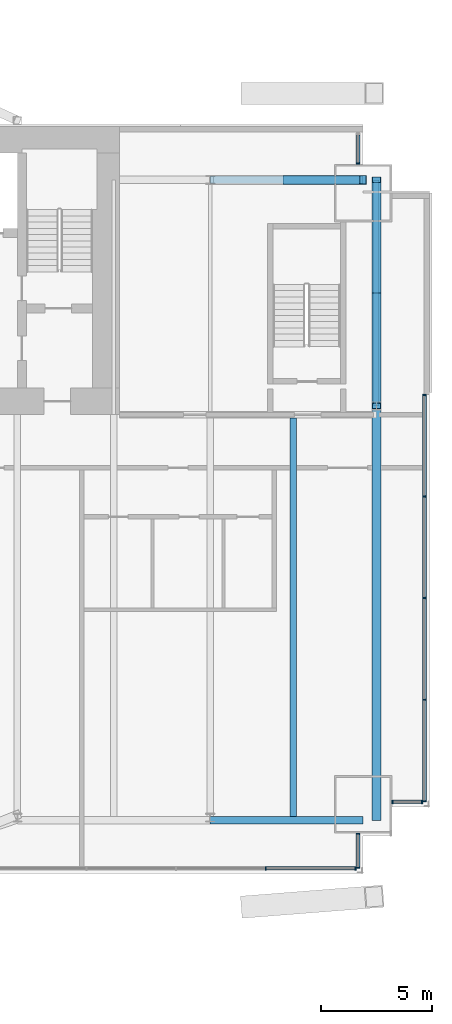
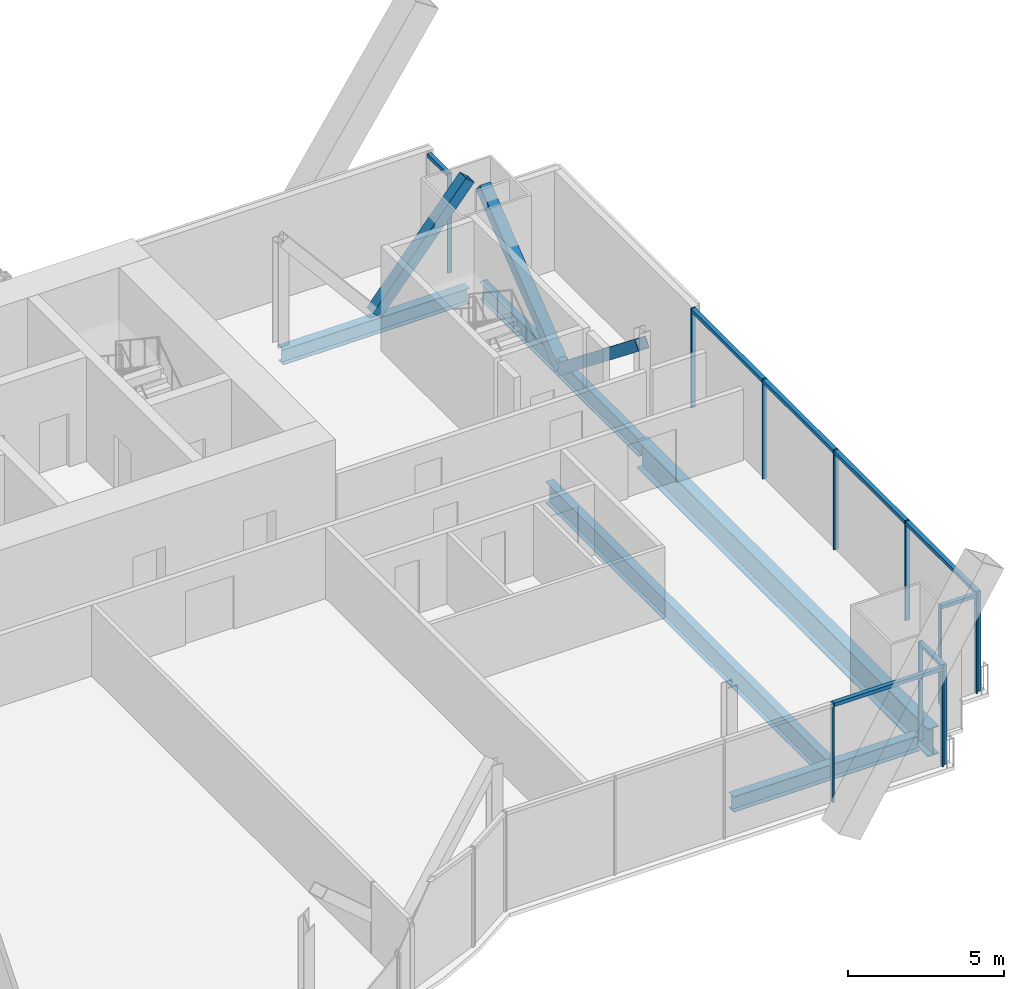
# One storey, part 12 of 21: 23 members, 5 beams, 5 elements without a shape of their own.
"""IFC4 building model written with IfcOpenShell, lengths in metres."""

import ifcopenshell
import ifcopenshell.guid

model = None  # the IFC model being written
_history = None  # IfcOwnerHistory: only IFC2X3 demands one
_inside = {}  # id of a spatial element -> (the spatial element, [elements in it])
_under = {}  # id of a project, library or spatial element -> (it, [spatial elements below it])
_declared = {}  # id of a project -> (the project, [libraries it declares])
_typed = {}  # id of a type object -> (the type object, [elements of that type])
_made_of = {}  # id of a material, layer set ... -> (it, [elements and type objects made of it])


def new_model(schema):
    """Start an empty IFC model of exactly this schema.

    Asked for "IFC4X3", IfcOpenShell would pick the latest addendum, in which some entities
    have other attributes; the version numbers below select the first issue.
    IFC2X3 requires an IfcOwnerHistory on every rooted entity: one is made here for all.
    """
    global model, _history
    if schema == "IFC4X3":
        model = ifcopenshell.file(schema_version=(4, 3, 0, 0))
    else:
        model = ifcopenshell.file(schema=schema)
    _inside.clear()
    _under.clear()
    _declared.clear()
    _typed.clear()
    _made_of.clear()
    _history = None
    if model.schema == "IFC2X3":
        org = make("IfcOrganization", Name="unknown")
        user = make(
            "IfcPersonAndOrganization",
            ThePerson=make("IfcPerson", FamilyName="unknown"),
            TheOrganization=org,
        )
        app = make(
            "IfcApplication",
            ApplicationDeveloper=org,
            Version="unknown",
            ApplicationFullName="unknown",
            ApplicationIdentifier="unknown",
        )
        _history = make(
            "IfcOwnerHistory",
            OwningUser=user,
            OwningApplication=app,
            ChangeAction="ADDED",
            CreationDate=0,
        )
    return model


def make(cls, **values):
    """One entity of the class cls with the attributes given. An attribute that is None is left unset."""
    return model.create_entity(
        cls, **{name: value for name, value in values.items() if value is not None}
    )


def rooted(cls, **values):
    """An entity with a GlobalId (a new one), such as an element, a storey or a relation."""
    return make(cls, GlobalId=ifcopenshell.guid.new(), OwnerHistory=_history, **values)


def si_unit(unit_type, name, prefix=None):
    """IfcSIUnit, for example si_unit("LENGTHUNIT", "METRE", prefix="MILLI")."""
    return make("IfcSIUnit", UnitType=unit_type, Prefix=prefix, Name=name)


def assignment(units):
    """IfcUnitAssignment: the units of a project."""
    return None if units is None else make("IfcUnitAssignment", Units=units)


def point(xyz):
    """IfcCartesianPoint."""
    return None if xyz is None else make("IfcCartesianPoint", Coordinates=xyz)


def direction(xyz):
    """IfcDirection."""
    return None if xyz is None else make("IfcDirection", DirectionRatios=xyz)


def frame(location, z_axis=None, x_axis=None):
    """IfcAxis2Placement3D, a coordinate frame: its origin and axes. An axis left out is left unset."""
    return make(
        "IfcAxis2Placement3D",
        Location=point(location),
        Axis=direction(z_axis),
        RefDirection=direction(x_axis),
    )


def frame_2d(location, x_axis=None):
    """IfcAxis2Placement2D, a coordinate frame in the plane: its origin and x axis."""
    return make(
        "IfcAxis2Placement2D", Location=point(location), RefDirection=direction(x_axis)
    )


def origin():
    """The frame at (0, 0, 0) with its axes left unset."""
    return frame((0.0, 0.0, 0.0))


def origin_2d():
    """The frame at (0, 0) in the plane with its x axis left unset."""
    return frame_2d((0.0, 0.0))


def place(relative_to, where):
    """IfcLocalPlacement: puts the frame where relative to a parent placement (None: the world)."""
    return make(
        "IfcLocalPlacement", PlacementRelTo=relative_to, RelativePlacement=where
    )


def context(
    kind, dimensions, precision=None, world=None, true_north=None, identifier=None
):
    """IfcGeometricRepresentationContext, for example the 3D "Model" context."""
    return make(
        "IfcGeometricRepresentationContext",
        ContextIdentifier=identifier,
        ContextType=kind,
        CoordinateSpaceDimension=dimensions,
        Precision=precision,
        WorldCoordinateSystem=world,
        TrueNorth=true_north,
    )


def subcontext(parent, identifier, kind, view, scale=None):
    """IfcGeometricRepresentationSubContext, for example "Body" below "Model"."""
    return make(
        "IfcGeometricRepresentationSubContext",
        ContextIdentifier=identifier,
        ContextType=kind,
        ParentContext=parent,
        TargetScale=scale,
        TargetView=view,
    )


def project(units=None, contexts=None):
    """IfcProject with its units and contexts."""
    return rooted(
        "IfcProject",
        Name="project",
        RepresentationContexts=contexts,
        UnitsInContext=assignment(units),
    )


def spatial(cls, under=None, at=None, **own):
    """A site, building, storey or space (cls), placed at a placement, below another one or the project."""
    s = rooted(cls, ObjectPlacement=at, **own)
    if under is not None:
        _under.setdefault(under.id(), (under, []))[1].append(s)
    return s


def profile(cls, at=None, kind="AREA", **sizes):
    """A parametric profile (cls). Its sizes go by their IFC names, for example OverallWidth=200.0."""
    return make(cls, ProfileType=kind, Position=at, **sizes)


def rectangle(**sizes):
    """IfcRectangleProfileDef."""
    return profile("IfcRectangleProfileDef", **sizes)


def hollow_rectangle(**sizes):
    """IfcRectangleHollowProfileDef."""
    return profile("IfcRectangleHollowProfileDef", **sizes)


def i_section(**sizes):
    """IfcIShapeProfileDef."""
    return profile("IfcIShapeProfileDef", **sizes)


def extrude(swept, where, along, depth):
    """IfcExtrudedAreaSolid: the profile swept, set in the frame where, extruded along a direction by depth."""
    return make(
        "IfcExtrudedAreaSolid",
        SweptArea=swept,
        Position=where,
        ExtrudedDirection=direction(along),
        Depth=depth,
    )


def shape(context_of_items, identifier, shape_type, items):
    """IfcShapeRepresentation: the items that make up one representation, for example the "Body"."""
    return make(
        "IfcShapeRepresentation",
        ContextOfItems=context_of_items,
        RepresentationIdentifier=identifier,
        RepresentationType=shape_type,
        Items=items,
    )


def material(Name=None, Category=None):
    """IfcMaterial."""
    return make("IfcMaterial", Name=Name, Category=Category)


def material_profile(
    of_material, cross_section, Name=None, Category=None, Priority=None
):
    """IfcMaterialProfile: a cross section and its material."""
    return make(
        "IfcMaterialProfile",
        Name=Name,
        Material=of_material,
        Profile=cross_section,
        Priority=Priority,
        Category=Category,
    )


def profile_set(profiles, Name=None, composite=None):
    """IfcMaterialProfileSet."""
    return make(
        "IfcMaterialProfileSet",
        Name=Name,
        MaterialProfiles=profiles,
        CompositeProfile=composite,
    )


def made_of(thing, what):
    """Note that an element or type object is made of a material, layer set ...; save() writes the relation."""
    if what is not None:
        _made_of.setdefault(what.id(), (what, []))[1].append(thing)
    return thing


def type_object(cls, material=None, **own):
    """A type object (cls), such as IfcWallType, which elements share."""
    return made_of(rooted(cls, **own), material)


def element(
    cls,
    number,
    at=None,
    inside=None,
    cuts=None,
    type_object=None,
    material=None,
    context=None,
    identifier="Body",
    shape_type=None,
    held_by="IfcProductDefinitionShape",
    body=None,
    shapes=None,
    **own,
):
    """One element of the class cls, such as IfcWall. Its Tag is "e" and its number.

    at: its placement. inside: the storey or other place that contains it. cuts: it is an
    opening in that element (IfcRelVoidsElement). A single representation is given by context,
    identifier, shape_type and body (its items); several are given by shapes. held_by: the class
    of the entity that holds the representations. save() writes the other relations.
    """
    e = rooted(cls, Tag="e%d" % number, ObjectPlacement=at, **own)
    if body is not None:
        shapes = [shape(context, identifier, shape_type, body)]
    if shapes is not None:
        e.Representation = make(held_by, Representations=shapes)
    if inside is not None:
        _inside.setdefault(inside.id(), (inside, []))[1].append(e)
    if cuts is not None:
        rooted(
            "IfcRelVoidsElement", RelatingBuildingElement=cuts, RelatedOpeningElement=e
        )
    if type_object is not None:
        _typed.setdefault(type_object.id(), (type_object, []))[1].append(e)
    return made_of(e, material)


def aggregate(whole, parts):
    """IfcRelAggregates: a whole, such as a stair, and the parts it consists of."""
    return rooted("IfcRelAggregates", RelatingObject=whole, RelatedObjects=parts)


def save(model, path):
    """Write the relations noted so far, then the file.

    IfcRelAggregates (storeys below a building ...), IfcRelContainedInSpatialStructure (elements
    in a storey), IfcRelDefinesByType, IfcRelAssociatesMaterial and IfcRelDeclares: one each for
    every whole, place, type object, material and project.
    """
    for whole, parts in _under.values():
        aggregate(whole, parts)
    for where, things in _inside.values():
        rooted(
            "IfcRelContainedInSpatialStructure",
            RelatedElements=things,
            RelatingStructure=where,
        )
    for kind, things in _typed.values():
        rooted("IfcRelDefinesByType", RelatedObjects=things, RelatingType=kind)
    for what, things in _made_of.values():
        rooted("IfcRelAssociatesMaterial", RelatedObjects=things, RelatingMaterial=what)
    for by, libraries in _declared.values():
        rooted("IfcRelDeclares", RelatingContext=by, RelatedDefinitions=libraries)
    model.write(path)


model = new_model("IFC4")

# Units and contexts
model_context = context("Model", 3, precision=1e-05, world=origin(), true_north=direction((0.0, 1.0)))
body_context = subcontext(model_context, "Body", "Model", "MODEL_VIEW")
ifc_project = project(units=[si_unit("LENGTHUNIT", "METRE"), si_unit("AREAUNIT", "SQUARE_METRE"), si_unit("VOLUMEUNIT", "CUBIC_METRE"), si_unit("PLANEANGLEUNIT", "RADIAN"), si_unit("MASSUNIT", "GRAM", prefix="KILO")], contexts=[model_context])

# Site, building, storey
site_placement = place(None, origin())
site = spatial("IfcSite", under=ifc_project, at=site_placement, CompositionType="ELEMENT")
building_placement = place(site_placement, origin())
building = spatial("IfcBuilding", under=site, at=building_placement, Name="Bicima Exchange Tower", CompositionType="ELEMENT")
storey_placement = place(building_placement, frame((0.0, 0.0, 181.39990234375)))
storey = spatial("IfcBuildingStorey", under=building, at=storey_placement, Name="L40", CompositionType="ELEMENT", Elevation=181.39990234375)

# Curtain wall, members
ifc_material_1 = material(Name="Anodised bronze aluminium", Category="aluminium")
curtain_wall_type_1 = type_object("IfcCurtainWallType", Name="End face glass wall", PredefinedType="NOTDEFINED", material=ifc_material_1)
curtain_wall_1_placement = place(storey_placement, origin())
curtain_wall_1 = element("IfcCurtainWall", 1, at=curtain_wall_1_placement, inside=storey, type_object=curtain_wall_type_1, Name="End face glass wall L40 run 19", PredefinedType="NOTDEFINED")
ifc_material_profile_1 = material_profile(ifc_material_1, rectangle(XDim=0.159912109375, YDim=0.06005859375, at=origin_2d()))
ifc_profile_set_1 = profile_set([ifc_material_profile_1], Name="Anodised bronze aluminium")
member_type_1 = type_object("IfcMemberType", Name="End face glass wall mullion 60 x 160", PredefinedType="MULLION", material=ifc_profile_set_1)
member_1_placement = place(storey_placement, frame((35.77001953125, -30.444091796875, 0.0), z_axis=(0.0, 0.0, 1.0), x_axis=(-1.0, 0.0, 0.0)))
member_1 = element("IfcMember", 2, at=member_1_placement, type_object=member_type_1, Name="End face glass wall mullion 1", PredefinedType="MULLION", context=body_context, shape_type="SweptSolid", body=[
    extrude(rectangle(XDim=0.159912109375, YDim=0.06005859375, at=origin_2d()), origin(), (0.0, 0.0, 1.0), 3.900146484375),
])
member_2_placement = place(storey_placement, frame((35.77001953125, -25.860595703125, 0.0), z_axis=(0.0, 0.0, 1.0), x_axis=(-1.0, 0.0, 0.0)))
member_2 = element("IfcMember", 3, at=member_2_placement, type_object=member_type_1, Name="End face glass wall mullion 2", PredefinedType="MULLION", context=body_context, shape_type="SweptSolid", body=[
    extrude(rectangle(XDim=0.159912109375, YDim=0.06005859375, at=origin_2d()), origin(), (0.0, 0.0, 1.0), 3.900146484375),
])
member_3_placement = place(storey_placement, frame((35.77001953125, -21.277099609375, 0.0), z_axis=(0.0, 0.0, 1.0), x_axis=(-1.0, 0.0, 0.0)))
member_3 = element("IfcMember", 4, at=member_3_placement, type_object=member_type_1, Name="End face glass wall mullion 3", PredefinedType="MULLION", context=body_context, shape_type="SweptSolid", body=[
    extrude(rectangle(XDim=0.159912109375, YDim=0.06005859375, at=origin_2d()), origin(), (0.0, 0.0, 1.0), 3.900146484375),
])
member_4_placement = place(storey_placement, frame((35.77001953125, -16.693603515625, 0.0), z_axis=(0.0, 0.0, 1.0), x_axis=(-1.0, 0.0, 0.0)))
member_4 = element("IfcMember", 5, at=member_4_placement, type_object=member_type_1, Name="End face glass wall mullion 4", PredefinedType="MULLION", context=body_context, shape_type="SweptSolid", body=[
    extrude(rectangle(XDim=0.159912109375, YDim=0.06005859375, at=origin_2d()), origin(), (0.0, 0.0, 1.0), 3.900146484375),
])
member_5_placement = place(storey_placement, frame((35.77001953125, -12.110107421875, 0.0), z_axis=(0.0, 0.0, 1.0), x_axis=(-1.0, 0.0, 0.0)))
member_5 = element("IfcMember", 6, at=member_5_placement, type_object=member_type_1, Name="End face glass wall mullion 5", PredefinedType="MULLION", context=body_context, shape_type="SweptSolid", body=[
    extrude(rectangle(XDim=0.159912109375, YDim=0.06005859375, at=origin_2d()), origin(), (0.0, 0.0, 1.0), 3.900146484375),
])
ifc_material_profile_2 = material_profile(ifc_material_1, rectangle(XDim=0.159912109375, YDim=0.139892578125, at=origin_2d()))
ifc_profile_set_2 = profile_set([ifc_material_profile_2], Name="Anodised bronze aluminium")
member_type_2 = type_object("IfcMemberType", Name="End face glass wall transom 140 x 160", PredefinedType="USERDEFINED", material=ifc_profile_set_2)
member_6_placement = place(storey_placement, frame((35.77001953125, -30.4140625, 3.830078125), z_axis=(0.0, 1.0, 0.0), x_axis=(-1.0, 0.0, 0.0)))
member_6 = element("IfcMember", 7, at=member_6_placement, type_object=member_type_2, Name="End face glass wall transom 1.1", ObjectType="TRANSOM", PredefinedType="USERDEFINED", context=body_context, shape_type="SweptSolid", body=[
    extrude(rectangle(XDim=0.159912109375, YDim=0.139892578125, at=origin_2d()), origin(), (0.0, 0.0, 1.0), 4.523681640625),
])
member_7_placement = place(storey_placement, frame((35.77001953125, -25.83056640625, 3.830078125), z_axis=(0.0, 1.0, 0.0), x_axis=(-1.0, 0.0, 0.0)))
member_7 = element("IfcMember", 8, at=member_7_placement, type_object=member_type_2, Name="End face glass wall transom 2.1", ObjectType="TRANSOM", PredefinedType="USERDEFINED", context=body_context, shape_type="SweptSolid", body=[
    extrude(rectangle(XDim=0.159912109375, YDim=0.139892578125, at=origin_2d()), origin(), (0.0, 0.0, 1.0), 4.523681640625),
])
member_8_placement = place(storey_placement, frame((35.77001953125, -21.2470703125, 3.830078125), z_axis=(0.0, 1.0, 0.0), x_axis=(-1.0, 0.0, 0.0)))
member_8 = element("IfcMember", 9, at=member_8_placement, type_object=member_type_2, Name="End face glass wall transom 3.1", ObjectType="TRANSOM", PredefinedType="USERDEFINED", context=body_context, shape_type="SweptSolid", body=[
    extrude(rectangle(XDim=0.159912109375, YDim=0.139892578125, at=origin_2d()), origin(), (0.0, 0.0, 1.0), 4.523681640625),
])
member_9_placement = place(storey_placement, frame((35.77001953125, -16.66357421875, 3.830078125), z_axis=(0.0, 1.0, 0.0), x_axis=(-1.0, 0.0, 0.0)))
member_9 = element("IfcMember", 10, at=member_9_placement, type_object=member_type_2, Name="End face glass wall transom 4.1", ObjectType="TRANSOM", PredefinedType="USERDEFINED", context=body_context, shape_type="SweptSolid", body=[
    extrude(rectangle(XDim=0.159912109375, YDim=0.139892578125, at=origin_2d()), origin(), (0.0, 0.0, 1.0), 4.523681640625),
])
aggregate(curtain_wall_1, [member_1, member_2, member_3, member_4, member_5, member_6, member_7, member_8, member_9])

# Beams
ifc_material_2 = material(Name="Steel ASTM A992 Gr 50", Category="steel")
ifc_material_profile_3 = material_profile(ifc_material_2, i_section(OverallWidth=0.256591796875, OverallDepth=0.693359375, WebThickness=0.014404296875, FlangeThickness=0.023681640625, at=origin_2d()))
ifc_profile_set_3 = profile_set([ifc_material_profile_3], Name="Steel ASTM A992 Gr 50")
beam_type_1 = type_object("IfcBeamType", Name="End girder W27x114", PredefinedType="BEAM", material=ifc_profile_set_3)
beam_1_placement = place(storey_placement, frame((33.60009765625, -2.39990234375, -0.49658203125), z_axis=(0.0, -1.0, 0.0), x_axis=(1.0, 0.0, 0.0)))
element("IfcBeam", 11, at=beam_1_placement, inside=storey, type_object=beam_type_1, Name="End girder", PredefinedType="BEAM", context=body_context, shape_type="SweptSolid", body=[
    extrude(i_section(OverallWidth=0.256591796875, OverallDepth=0.693359375, WebThickness=0.014404296875, FlangeThickness=0.023681640625, at=origin_2d()), origin(), (0.0, 0.0, 1.0), 10.2001953125),
])
ifc_material_profile_4 = material_profile(ifc_material_2, i_section(OverallWidth=0.4013671875, OverallDepth=1.089599609375, WebThickness=0.01806640625, FlangeThickness=0.031005859375, at=origin_2d()))
ifc_profile_set_4 = profile_set([ifc_material_profile_4], Name="Steel ASTM A992 Gr 50")
beam_type_2 = type_object("IfcBeamType", Name="End girder W44x230", PredefinedType="BEAM", material=ifc_profile_set_4)
beam_2_placement = place(storey_placement, frame((33.60009765625, -12.60009765625, -0.69482421875), z_axis=(0.0, -1.0, 0.0), x_axis=(1.0, 0.0, 0.0)))
element("IfcBeam", 12, at=beam_2_placement, inside=storey, type_object=beam_type_2, Name="End girder", PredefinedType="BEAM", context=body_context, shape_type="SweptSolid", body=[
    extrude(i_section(OverallWidth=0.4013671875, OverallDepth=1.089599609375, WebThickness=0.01806640625, FlangeThickness=0.031005859375, at=origin_2d()), origin(), (0.0, 0.0, 1.0), 18.703857421875),
])
ifc_material_profile_5 = material_profile(ifc_material_2, i_section(OverallWidth=0.2919921875, OverallDepth=0.835693359375, WebThickness=0.013916015625, FlangeThickness=0.018798828125, at=origin_2d()))
ifc_profile_set_5 = profile_set([ifc_material_profile_5], Name="Steel ASTM A992 Gr 50")
beam_type_3 = type_object("IfcBeamType", Name="Floor beam W33x118", PredefinedType="JOIST", material=ifc_profile_set_5)
beam_3_placement = place(storey_placement, frame((29.85009765625, -13.15234375, -0.567626953125), z_axis=(0.0, -1.0, 0.0), x_axis=(1.0, 0.0, 0.0)))
element("IfcBeam", 13, at=beam_3_placement, inside=storey, type_object=beam_type_3, Name="Floor beam", PredefinedType="JOIST", context=body_context, shape_type="SweptSolid", body=[
    extrude(i_section(OverallWidth=0.2919921875, OverallDepth=0.835693359375, WebThickness=0.013916015625, FlangeThickness=0.018798828125, at=origin_2d()), origin(), (0.0, 0.0, 1.0), 17.989013671875),
])
ifc_material_profile_6 = material_profile(ifc_material_2, i_section(OverallWidth=0.3251953125, OverallDepth=0.612060546875, WebThickness=0.0126953125, FlangeThickness=0.01904296875, at=origin_2d()))
ifc_profile_set_6 = profile_set([ifc_material_profile_6], Name="Steel ASTM A992 Gr 50")
beam_type_4 = type_object("IfcBeamType", Name="Front girder W24x104", PredefinedType="BEAM", material=ifc_profile_set_6)
beam_4_placement = place(storey_placement, frame((26.10009765625, -31.303955078125, -0.4560546875), z_axis=(1.0, 0.0, 0.0), x_axis=(0.0, 1.0, 0.0)))
element("IfcBeam", 14, at=beam_4_placement, inside=storey, type_object=beam_type_4, Name="Front girder", PredefinedType="BEAM", context=body_context, shape_type="SweptSolid", body=[
    extrude(i_section(OverallWidth=0.3251953125, OverallDepth=0.612060546875, WebThickness=0.0126953125, FlangeThickness=0.01904296875, at=origin_2d()), origin(), (0.0, 0.0, 1.0), 6.89990234375),
])

# Curtain wall, members
curtain_wall_type_2 = type_object("IfcCurtainWallType", Name="Front glass wall", PredefinedType="NOTDEFINED", material=ifc_material_1)
curtain_wall_2_placement = place(storey_placement, origin())
curtain_wall_2 = element("IfcCurtainWall", 15, at=curtain_wall_2_placement, inside=storey, type_object=curtain_wall_type_2, Name="Front glass wall L40 run 16", PredefinedType="NOTDEFINED")
member_type_3 = type_object("IfcMemberType", Name="Front glass wall mullion 60 x 160", PredefinedType="MULLION", material=ifc_profile_set_1)
member_10_placement = place(storey_placement, frame((28.610595703125, -33.47412109375, 0.0), z_axis=(0.0, 0.0, 1.0), x_axis=(0.0, 1.0, 0.0)))
member_10 = element("IfcMember", 16, at=member_10_placement, type_object=member_type_3, Name="Front glass wall mullion 4", PredefinedType="MULLION", context=body_context, shape_type="SweptSolid", body=[
    extrude(rectangle(XDim=0.159912109375, YDim=0.06005859375, at=origin_2d()), origin(), (0.0, 0.0, 1.0), 3.900146484375),
])
member_11_placement = place(storey_placement, frame((32.659912109375, -33.47412109375, 0.0), z_axis=(0.0, 0.0, 1.0), x_axis=(0.0, 1.0, 0.0)))
member_11 = element("IfcMember", 17, at=member_11_placement, type_object=member_type_3, Name="Front glass wall mullion 5", PredefinedType="MULLION", context=body_context, shape_type="SweptSolid", body=[
    extrude(rectangle(XDim=0.159912109375, YDim=0.06005859375, at=origin_2d()), origin(), (0.0, 0.0, 1.0), 3.900146484375),
])

curtain_wall_3_placement = place(storey_placement, origin())
curtain_wall_3 = element("IfcCurtainWall", 18, at=curtain_wall_3_placement, inside=storey, type_object=curtain_wall_type_2, Name="Front glass wall L40 run 17", PredefinedType="NOTDEFINED")
member_12_placement = place(storey_placement, frame((32.77001953125, -33.444091796875, 0.0), z_axis=(0.0, 0.0, 1.0), x_axis=(-1.0, 0.0, 0.0)))
member_12 = element("IfcMember", 19, at=member_12_placement, type_object=member_type_3, Name="Front glass wall mullion 1", PredefinedType="MULLION", context=body_context, shape_type="SweptSolid", body=[
    extrude(rectangle(XDim=0.159912109375, YDim=0.06005859375, at=origin_2d()), origin(), (0.0, 0.0, 1.0), 3.900146484375),
])
member_13_placement = place(storey_placement, frame((32.77001953125, -31.912109375, 0.0), z_axis=(0.0, 0.0, 1.0), x_axis=(-1.0, 0.0, 0.0)))
member_13 = element("IfcMember", 20, at=member_13_placement, type_object=member_type_3, Name="Front glass wall mullion 2", PredefinedType="MULLION", context=body_context, shape_type="SweptSolid", body=[
    extrude(rectangle(XDim=0.159912109375, YDim=0.06005859375, at=origin_2d()), origin(), (0.0, 0.0, 1.0), 3.900146484375),
])

curtain_wall_4_placement = place(storey_placement, origin())
curtain_wall_4 = element("IfcCurtainWall", 21, at=curtain_wall_4_placement, inside=storey, type_object=curtain_wall_type_2, Name="Front glass wall L40 run 18", PredefinedType="NOTDEFINED")
member_14_placement = place(storey_placement, frame((34.330078125, -30.47412109375, 0.0), z_axis=(0.0, 0.0, 1.0), x_axis=(0.0, 1.0, 0.0)))
member_14 = element("IfcMember", 22, at=member_14_placement, type_object=member_type_3, Name="Front glass wall mullion 1", PredefinedType="MULLION", context=body_context, shape_type="SweptSolid", body=[
    extrude(rectangle(XDim=0.159912109375, YDim=0.06005859375, at=origin_2d()), origin(), (0.0, 0.0, 1.0), 3.900146484375),
])
member_15_placement = place(storey_placement, frame((35.659912109375, -30.47412109375, 0.0), z_axis=(0.0, 0.0, 1.0), x_axis=(0.0, 1.0, 0.0)))
member_15 = element("IfcMember", 23, at=member_15_placement, type_object=member_type_3, Name="Front glass wall mullion 2", PredefinedType="MULLION", context=body_context, shape_type="SweptSolid", body=[
    extrude(rectangle(XDim=0.159912109375, YDim=0.06005859375, at=origin_2d()), origin(), (0.0, 0.0, 1.0), 3.900146484375),
])

# Curtain wall, member
curtain_wall_5_placement = place(storey_placement, origin())
curtain_wall_5 = element("IfcCurtainWall", 24, at=curtain_wall_5_placement, inside=storey, type_object=curtain_wall_type_2, Name="Front glass wall L40 run 20", PredefinedType="NOTDEFINED")
member_16_placement = place(storey_placement, frame((32.77001953125, -1.669921875, 0.0), z_axis=(0.0, 0.0, 1.0), x_axis=(-1.0, 0.0, 0.0)))
member_16 = element("IfcMember", 25, at=member_16_placement, type_object=member_type_3, Name="Front glass wall mullion 1", PredefinedType="MULLION", context=body_context, shape_type="SweptSolid", body=[
    extrude(rectangle(XDim=0.159912109375, YDim=0.06005859375, at=origin_2d()), origin(), (0.0, 0.0, 1.0), 3.900146484375),
])

# Member
member_type_4 = type_object("IfcMemberType", Name="Front glass wall transom 140 x 160", PredefinedType="USERDEFINED", material=ifc_profile_set_2)
member_17_placement = place(storey_placement, frame((28.640380859375, -33.47412109375, 3.830078125), z_axis=(1.0, 0.0, 0.0), x_axis=(0.0, 1.0, 0.0)))
member_17 = element("IfcMember", 26, at=member_17_placement, type_object=member_type_4, Name="Front glass wall transom 4.1", ObjectType="TRANSOM", PredefinedType="USERDEFINED", context=body_context, shape_type="SweptSolid", body=[
    extrude(rectangle(XDim=0.159912109375, YDim=0.139892578125, at=origin_2d()), origin(), (0.0, 0.0, 1.0), 3.989501953125),
])

aggregate(curtain_wall_2, [member_10, member_11, member_17])

member_18_placement = place(storey_placement, frame((32.77001953125, -33.4140625, 3.830078125), z_axis=(0.0, 1.0, 0.0), x_axis=(-1.0, 0.0, 0.0)))
member_18 = element("IfcMember", 27, at=member_18_placement, type_object=member_type_4, Name="Front glass wall transom 1.1", ObjectType="TRANSOM", PredefinedType="USERDEFINED", context=body_context, shape_type="SweptSolid", body=[
    extrude(rectangle(XDim=0.159912109375, YDim=0.139892578125, at=origin_2d()), origin(), (0.0, 0.0, 1.0), 1.47216796875),
])

aggregate(curtain_wall_3, [member_12, member_13, member_18])

member_19_placement = place(storey_placement, frame((34.360107421875, -30.47412109375, 3.830078125), z_axis=(1.0, 0.0, 0.0), x_axis=(0.0, 1.0, 0.0)))
member_19 = element("IfcMember", 28, at=member_19_placement, type_object=member_type_4, Name="Front glass wall transom 1.1", ObjectType="TRANSOM", PredefinedType="USERDEFINED", context=body_context, shape_type="SweptSolid", body=[
    extrude(rectangle(XDim=0.159912109375, YDim=0.139892578125, at=origin_2d()), origin(), (0.0, 0.0, 1.0), 1.269775390625),
])

aggregate(curtain_wall_4, [member_14, member_15, member_19])

member_20_placement = place(storey_placement, frame((32.77001953125, -1.639892578125, 3.830078125), z_axis=(0.0, 1.0, 0.0), x_axis=(-1.0, 0.0, 0.0)))
member_20 = element("IfcMember", 29, at=member_20_placement, type_object=member_type_4, Name="Front glass wall transom 1.1", ObjectType="TRANSOM", PredefinedType="USERDEFINED", context=body_context, shape_type="SweptSolid", body=[
    extrude(rectangle(XDim=0.159912109375, YDim=0.139892578125, at=origin_2d()), origin(), (0.0, 0.0, 1.0), 1.269775390625),
])

aggregate(curtain_wall_5, [member_16, member_20])

# Members
ifc_material_3 = material(Name="Steel ASTM A572 Gr 50", Category="steel")
ifc_material_profile_7 = material_profile(ifc_material_3, hollow_rectangle(XDim=0.406494140625, YDim=0.406494140625, WallThickness=0.017822265625, at=origin_2d()))
ifc_profile_set_7 = profile_set([ifc_material_profile_7], Name="Steel ASTM A572 Gr 50")
member_type_5 = type_object("IfcMemberType", Name="Mega brace HSS16x16x3/4", PredefinedType="BRACE", material=ifc_profile_set_7)
member_21_placement = place(storey_placement, frame((29.550048828125, -2.39990234375, 0.0), z_axis=(0.643834042494, 0.0, 0.765165162384), x_axis=(0.0, 1.0, 0.0)))
element("IfcMember", 30, at=member_21_placement, inside=storey, type_object=member_type_5, Name="Mega brace rear", PredefinedType="BRACE", context=body_context, shape_type="SweptSolid", body=[
    extrude(hollow_rectangle(XDim=0.406494140625, YDim=0.406494140625, WallThickness=0.017822265625, at=origin_2d()), origin(), (0.0, 0.0, 1.0), 5.3583984375),
])
for number, where, z_axis, x_axis, name in (
    (31, (33.60009765625, -7.5, -0.49658203125), (0.0, -0.783112995316, 0.621879438932), (1.0, 0.0, 0.0), "Mega brace east end"),
    (32, (33.60009765625, -7.5, -0.49658203125), (0.0, 0.783112995316, 0.621879438932), (-1.0, 0.0, 0.0), "Mega brace east end"),
):
    element("IfcMember", number, at=place(storey_placement, frame(where, z_axis=z_axis, x_axis=x_axis)), inside=storey, type_object=member_type_5, Name=name, PredefinedType="BRACE", context=body_context, shape_type="SweptSolid", body=[
        extrude(hollow_rectangle(XDim=0.406494140625, YDim=0.406494140625, WallThickness=0.017822265625, at=origin_2d()), origin(), (0.0, 0.0, 1.0), 6.5126953125),
    ])

# Beam
beam_type_5 = type_object("IfcBeamType", Name="Rear girder W24x104", PredefinedType="BEAM", material=ifc_profile_set_6)
beam_5_placement = place(storey_placement, frame((26.10009765625, -2.39990234375, -0.4560546875), z_axis=(1.0, 0.0, 0.0), x_axis=(0.0, 1.0, 0.0)))
element("IfcBeam", 33, at=beam_5_placement, inside=storey, type_object=beam_type_5, Name="Rear girder", PredefinedType="BEAM", context=body_context, shape_type="SweptSolid", body=[
    extrude(i_section(OverallWidth=0.3251953125, OverallDepth=0.612060546875, WebThickness=0.0126953125, FlangeThickness=0.01904296875, at=origin_2d()), origin(), (0.0, 0.0, 1.0), 6.89990234375),
])

save(model, "model.ifc")
